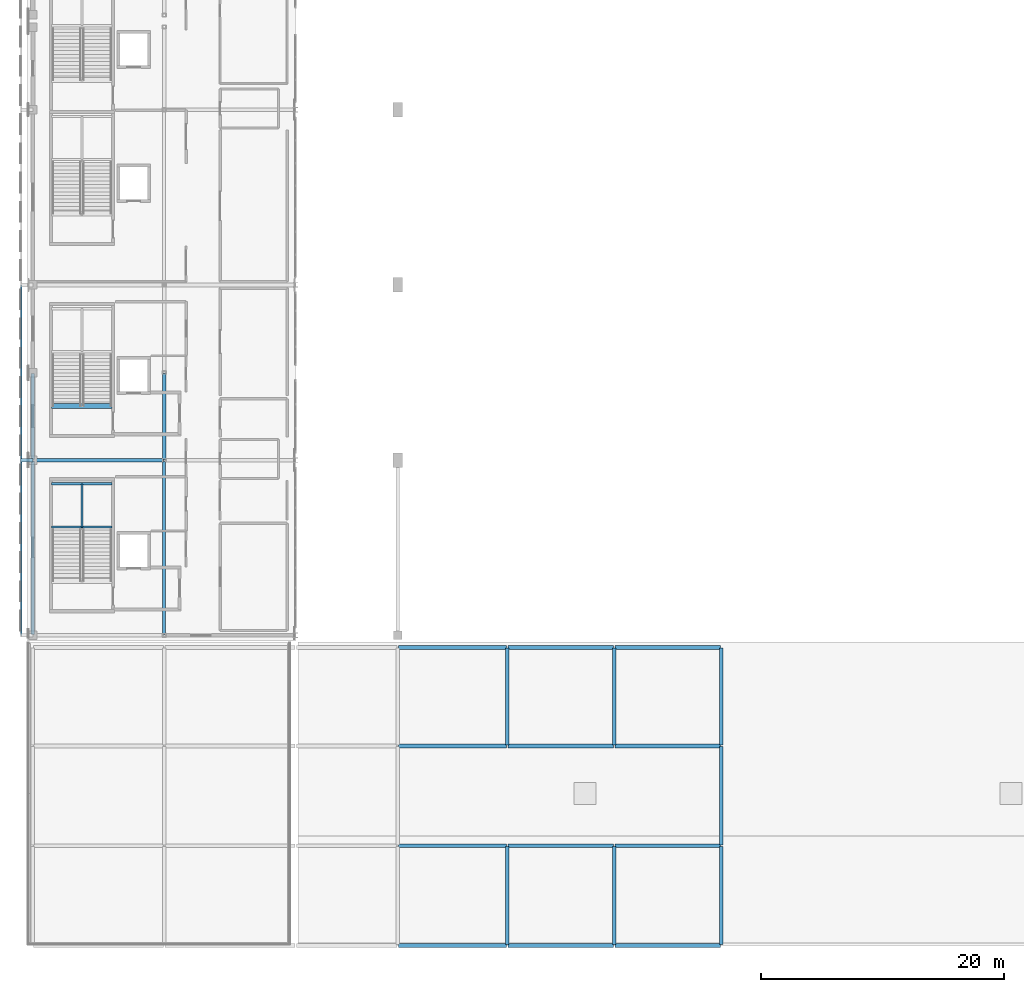
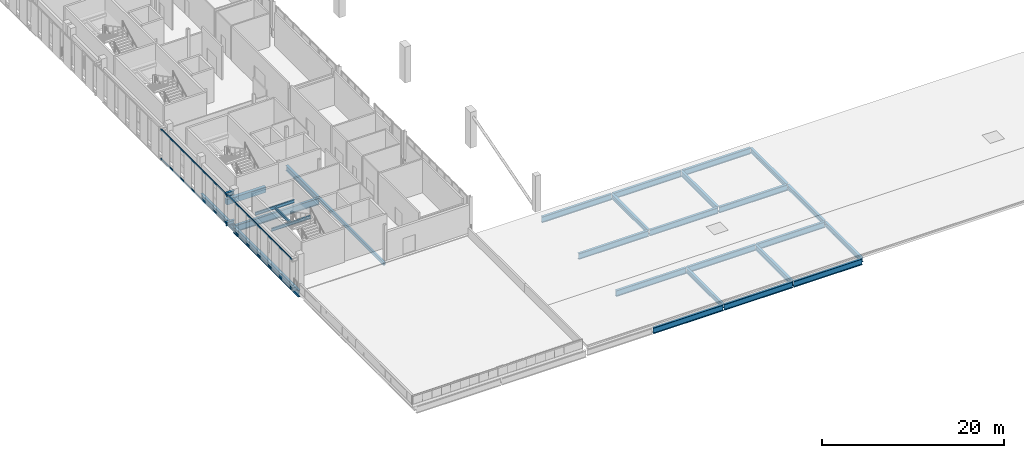
# One storey, part 8 of 51: 30 beams, 4 members.
"""IFC4 building model written with IfcOpenShell, lengths in metres."""

from ifc_helpers import new_model, si_unit, direction, frame, origin, origin_2d, place, context, subcontext, project, spatial, rectangle, hollow_rectangle, i_section, extrude, material, material_profile, profile_set, type_object, element, save


model = new_model("IFC4")

# Units and contexts
model_context = context("Model", 3, precision=1e-05, world=origin(), true_north=direction((0.0, 1.0)))
body_context = subcontext(model_context, "Body", "Model", "MODEL_VIEW")
ifc_project = project(units=[si_unit("LENGTHUNIT", "METRE"), si_unit("AREAUNIT", "SQUARE_METRE"), si_unit("VOLUMEUNIT", "CUBIC_METRE"), si_unit("PLANEANGLEUNIT", "RADIAN"), si_unit("MASSUNIT", "GRAM", prefix="KILO")], contexts=[model_context])

# Site, building, storey
site_placement = place(None, origin())
site = spatial("IfcSite", under=ifc_project, at=site_placement, CompositionType="ELEMENT")
building_placement = place(site_placement, origin())
building = spatial("IfcBuilding", under=site, at=building_placement, Name="Koshinbarg Plaza Stadium", CompositionType="ELEMENT")
storey_placement = place(building_placement, frame((0.0, 0.0, 24.60009765625)))
storey = spatial("IfcBuildingStorey", under=building, at=storey_placement, Name="L05", CompositionType="ELEMENT", Elevation=24.60009765625)

# Beams
ifc_material_1 = material(Name="Steel S355", Category="steel")
ifc_material_profile_1 = material_profile(ifc_material_1, i_section(OverallWidth=0.300048828125, OverallDepth=0.5, WebThickness=0.014404296875, FlangeThickness=0.028076171875, at=origin_2d()), Name="HEB 500")
ifc_profile_set_1 = profile_set([ifc_material_profile_1], Name="Steel S355")
beam_type_1 = type_object("IfcBeamType", Name="BM-CANOPY-CANT", PredefinedType="BEAM", material=ifc_profile_set_1)
for number, where, z_axis, x_axis, name in (
    (1, (24.60009765625, 39.89990234375, 0.25), (-1.0, 0.0, 0.0), (0.0, -1.0, 0.0), "Outer screen cantilever outrigger W-L05-Y02"),
    (2, (24.60009765625, 39.89990234375, 4.179931640625), (-1.0, 0.0, 0.0), (0.0, -1.0, 0.0), "Outer screen cantilever outrigger W-L05-Y02"),
):
    element("IfcBeam", number, at=place(storey_placement, frame(where, z_axis=z_axis, x_axis=x_axis)), inside=storey, type_object=beam_type_1, Name=name, PredefinedType="BEAM", context=body_context, shape_type="SweptSolid", body=[
        extrude(i_section(OverallWidth=0.300048828125, OverallDepth=0.5, WebThickness=0.014404296875, FlangeThickness=0.028076171875, at=origin_2d()), origin(), (0.0, 0.0, 1.0), 1.030029296875),
    ])
ifc_material_2 = material(Name="Concrete C40/50", Category="concrete")
ifc_material_profile_2 = material_profile(ifc_material_2, rectangle(XDim=0.39990234375, YDim=0.75, at=origin_2d()), Name="RC 400x750")
ifc_profile_set_2 = profile_set([ifc_material_profile_2], Name="Concrete C40/50")
beam_type_2 = type_object("IfcBeamType", Name="BM-RCG-03", PredefinedType="USERDEFINED", material=ifc_profile_set_2)
beam_1_placement = place(storey_placement, frame((26.14990234375, 44.360107421875, -0.375), z_axis=(1.0, 0.0, 0.0), x_axis=(0.0, 1.0, 0.0)))
element("IfcBeam", 3, at=beam_1_placement, inside=storey, type_object=beam_type_2, Name="L05 stair landing header beam C02", ObjectType="GIRDER", PredefinedType="USERDEFINED", context=body_context, shape_type="SweptSolid", body=[
    extrude(rectangle(XDim=0.39990234375, YDim=0.75, at=origin_2d()), origin(), (0.0, 0.0, 1.0), 4.97021484375),
])
ifc_material_profile_3 = material_profile(ifc_material_1, i_section(OverallWidth=0.179931640625, OverallDepth=0.39990234375, WebThickness=0.008544921875, FlangeThickness=0.013427734375, at=origin_2d()), Name="IPE 400")
ifc_profile_set_3 = profile_set([ifc_material_profile_3], Name="Steel S355")
beam_type_3 = type_object("IfcBeamType", Name="BM-SBM-01", PredefinedType="BEAM", material=ifc_profile_set_3)
for number, where, z_axis, x_axis, name in (
    (4, (26.14990234375, 34.409912109375, 1.8798828125), (1.0, 0.0, 0.0), (0.0, 1.0, 0.0), "L05 Protected Exit Stair C01 landing trimmer beam 1"),
    (5, (26.14990234375, 37.949951171875, 1.8798828125), (1.0, 0.0, 0.0), (0.0, 1.0, 0.0), "L05 Protected Exit Stair C01 landing trimmer beam 2"),
):
    element("IfcBeam", number, at=place(storey_placement, frame(where, z_axis=z_axis, x_axis=x_axis)), inside=storey, type_object=beam_type_3, Name=name, PredefinedType="BEAM", context=body_context, shape_type="SweptSolid", body=[
        extrude(i_section(OverallWidth=0.179931640625, OverallDepth=0.39990234375, WebThickness=0.008544921875, FlangeThickness=0.013427734375, at=origin_2d()), origin(), (0.0, 0.0, 1.0), 4.97021484375),
    ])
beam_2_placement = place(storey_placement, frame((28.635009765625, 34.409912109375, 1.8798828125), z_axis=(0.0, 1.0, 0.0), x_axis=(-1.0, 0.0, 0.0)))
element("IfcBeam", 6, at=beam_2_placement, inside=storey, type_object=beam_type_3, Name="L05 Protected Exit Stair C01 landing trimmer beam 3", PredefinedType="BEAM", context=body_context, shape_type="SweptSolid", body=[
    extrude(i_section(OverallWidth=0.179931640625, OverallDepth=0.39990234375, WebThickness=0.008544921875, FlangeThickness=0.013427734375, at=origin_2d()), origin(), (0.0, 0.0, 1.0), 3.5400390625),
])
ifc_material_profile_4 = material_profile(ifc_material_1, i_section(OverallWidth=0.300048828125, OverallDepth=0.60009765625, WebThickness=0.015380859375, FlangeThickness=0.030029296875, at=origin_2d()), Name="HEB 600")
ifc_profile_set_4 = profile_set([ifc_material_profile_4], Name="Steel S355")
beam_type_4 = type_object("IfcBeamType", Name="BM-SGIR-02", PredefinedType="USERDEFINED", material=ifc_profile_set_4)
beam_3_placement = place(storey_placement, frame((24.60009765625, 39.9599609375, -0.60009765625), z_axis=(0.0, 1.0, 0.0), x_axis=(-1.0, 0.0, 0.0)))
element("IfcBeam", 7, at=beam_3_placement, inside=storey, type_object=beam_type_4, Name="L05 Y girder 5/F-G", ObjectType="GIRDER", PredefinedType="USERDEFINED", context=body_context, shape_type="SweptSolid", body=[
    extrude(i_section(OverallWidth=0.300048828125, OverallDepth=0.60009765625, WebThickness=0.015380859375, FlangeThickness=0.030029296875, at=origin_2d()), origin(), (0.0, 0.0, 1.0), 7.080078125),
])
beam_4_placement = place(storey_placement, frame((63.60009765625, 0.06005859375, -0.60009765625), z_axis=(0.0, 1.0, 0.0), x_axis=(-1.0, 0.0, 0.0)))
element("IfcBeam", 8, at=beam_4_placement, inside=storey, type_object=beam_type_4, Name="L05 Y girder 9/A-B", ObjectType="GIRDER", PredefinedType="USERDEFINED", context=body_context, shape_type="SweptSolid", body=[
    extrude(i_section(OverallWidth=0.300048828125, OverallDepth=0.60009765625, WebThickness=0.015380859375, FlangeThickness=0.030029296875, at=origin_2d()), origin(), (0.0, 0.0, 1.0), 8.079833984375),
])
beam_5_placement = place(storey_placement, frame((63.60009765625, 16.4599609375, -0.60009765625), z_axis=(0.0, 1.0, 0.0), x_axis=(-1.0, 0.0, 0.0)))
element("IfcBeam", 9, at=beam_5_placement, inside=storey, type_object=beam_type_4, Name="L05 Y girder 9/C-D", ObjectType="GIRDER", PredefinedType="USERDEFINED", context=body_context, shape_type="SweptSolid", body=[
    extrude(i_section(OverallWidth=0.300048828125, OverallDepth=0.60009765625, WebThickness=0.015380859375, FlangeThickness=0.030029296875, at=origin_2d()), origin(), (0.0, 0.0, 1.0), 7.97998046875),
])
beam_6_placement = place(storey_placement, frame((81.199951171875, 0.06005859375, -0.60009765625), z_axis=(0.0, 1.0, 0.0), x_axis=(-1.0, 0.0, 0.0)))
element("IfcBeam", 10, at=beam_6_placement, inside=storey, type_object=beam_type_4, Name="L05 Y girder 11/A-B", ObjectType="GIRDER", PredefinedType="USERDEFINED", context=body_context, shape_type="SweptSolid", body=[
    extrude(i_section(OverallWidth=0.300048828125, OverallDepth=0.60009765625, WebThickness=0.015380859375, FlangeThickness=0.030029296875, at=origin_2d()), origin(), (0.0, 0.0, 1.0), 8.079833984375),
])
beam_7_placement = place(storey_placement, frame((81.199951171875, 8.260009765625, -0.60009765625), z_axis=(0.0, 1.0, 0.0), x_axis=(-1.0, 0.0, 0.0)))
element("IfcBeam", 11, at=beam_7_placement, inside=storey, type_object=beam_type_4, Name="L05 Y girder 11/B-C", ObjectType="GIRDER", PredefinedType="USERDEFINED", context=body_context, shape_type="SweptSolid", body=[
    extrude(i_section(OverallWidth=0.300048828125, OverallDepth=0.60009765625, WebThickness=0.015380859375, FlangeThickness=0.030029296875, at=origin_2d()), origin(), (0.0, 0.0, 1.0), 8.080078125),
])
beam_8_placement = place(storey_placement, frame((81.199951171875, 16.4599609375, -0.60009765625), z_axis=(0.0, 1.0, 0.0), x_axis=(-1.0, 0.0, 0.0)))
element("IfcBeam", 12, at=beam_8_placement, inside=storey, type_object=beam_type_4, Name="L05 Y girder 11/C-D", ObjectType="GIRDER", PredefinedType="USERDEFINED", context=body_context, shape_type="SweptSolid", body=[
    extrude(i_section(OverallWidth=0.300048828125, OverallDepth=0.60009765625, WebThickness=0.015380859375, FlangeThickness=0.030029296875, at=origin_2d()), origin(), (0.0, 0.0, 1.0), 7.97998046875),
])
ifc_material_profile_5 = material_profile(ifc_material_1, i_section(OverallWidth=0.300048828125, OverallDepth=0.699951171875, WebThickness=0.01708984375, FlangeThickness=0.031982421875, at=origin_2d()), Name="HEB 700")
ifc_profile_set_5 = profile_set([ifc_material_profile_5], Name="Steel S355")
beam_type_5 = type_object("IfcBeamType", Name="BM-SGIR-03", PredefinedType="USERDEFINED", material=ifc_profile_set_5)
beam_9_placement = place(storey_placement, frame((35.39990234375, 39.9599609375, -0.650146484375), z_axis=(0.0, 1.0, 0.0), x_axis=(-1.0, 0.0, 0.0)))
element("IfcBeam", 13, at=beam_9_placement, inside=storey, type_object=beam_type_5, Name="L05 Y girder 6/F-G", ObjectType="GIRDER", PredefinedType="USERDEFINED", context=body_context, shape_type="SweptSolid", body=[
    extrude(i_section(OverallWidth=0.300048828125, OverallDepth=0.699951171875, WebThickness=0.01708984375, FlangeThickness=0.031982421875, at=origin_2d()), origin(), (0.0, 0.0, 1.0), 7.080078125),
])
beam_10_placement = place(storey_placement, frame((72.39990234375, 0.06005859375, -0.650146484375), z_axis=(0.0, 1.0, 0.0), x_axis=(-1.0, 0.0, 0.0)))
element("IfcBeam", 14, at=beam_10_placement, inside=storey, type_object=beam_type_5, Name="L05 Y girder 10/A-B", ObjectType="GIRDER", PredefinedType="USERDEFINED", context=body_context, shape_type="SweptSolid", body=[
    extrude(i_section(OverallWidth=0.300048828125, OverallDepth=0.699951171875, WebThickness=0.01708984375, FlangeThickness=0.031982421875, at=origin_2d()), origin(), (0.0, 0.0, 1.0), 8.079833984375),
])
beam_11_placement = place(storey_placement, frame((72.39990234375, 16.4599609375, -0.650146484375), z_axis=(0.0, 1.0, 0.0), x_axis=(-1.0, 0.0, 0.0)))
element("IfcBeam", 15, at=beam_11_placement, inside=storey, type_object=beam_type_5, Name="L05 Y girder 10/C-D", ObjectType="GIRDER", PredefinedType="USERDEFINED", context=body_context, shape_type="SweptSolid", body=[
    extrude(i_section(OverallWidth=0.300048828125, OverallDepth=0.699951171875, WebThickness=0.01708984375, FlangeThickness=0.031982421875, at=origin_2d()), origin(), (0.0, 0.0, 1.0), 7.97998046875),
])
ifc_material_profile_6 = material_profile(ifc_material_1, i_section(OverallWidth=0.300048828125, OverallDepth=0.800048828125, WebThickness=0.017578125, FlangeThickness=0.032958984375, at=origin_2d()), Name="HEB 800")
ifc_profile_set_6 = profile_set([ifc_material_profile_6], Name="Steel S355")
beam_type_6 = type_object("IfcBeamType", Name="BM-SGIR-04", PredefinedType="USERDEFINED", material=ifc_profile_set_6)
beam_12_placement = place(storey_placement, frame((54.659912109375, 0.0, -0.7001953125), z_axis=(1.0, 0.0, 0.0), x_axis=(0.0, 1.0, 0.0)))
element("IfcBeam", 16, at=beam_12_placement, inside=storey, type_object=beam_type_6, Name="L05 X girder A/8-9", ObjectType="GIRDER", PredefinedType="USERDEFINED", context=body_context, shape_type="SweptSolid", body=[
    extrude(i_section(OverallWidth=0.300048828125, OverallDepth=0.800048828125, WebThickness=0.017578125, FlangeThickness=0.032958984375, at=origin_2d()), origin(), (0.0, 0.0, 1.0), 8.880126953125),
])
beam_13_placement = place(storey_placement, frame((63.659912109375, 0.0, -0.7001953125), z_axis=(1.0, 0.0, 0.0), x_axis=(0.0, 1.0, 0.0)))
element("IfcBeam", 17, at=beam_13_placement, inside=storey, type_object=beam_type_6, Name="L05 X girder A/9-10", ObjectType="GIRDER", PredefinedType="USERDEFINED", context=body_context, shape_type="SweptSolid", body=[
    extrude(i_section(OverallWidth=0.300048828125, OverallDepth=0.800048828125, WebThickness=0.017578125, FlangeThickness=0.032958984375, at=origin_2d()), origin(), (0.0, 0.0, 1.0), 8.68017578125),
])
beam_14_placement = place(storey_placement, frame((72.4599609375, 0.0, -0.7001953125), z_axis=(1.0, 0.0, 0.0), x_axis=(0.0, 1.0, 0.0)))
element("IfcBeam", 18, at=beam_14_placement, inside=storey, type_object=beam_type_6, Name="L05 X girder A/10-11", ObjectType="GIRDER", PredefinedType="USERDEFINED", context=body_context, shape_type="SweptSolid", body=[
    extrude(i_section(OverallWidth=0.300048828125, OverallDepth=0.800048828125, WebThickness=0.017578125, FlangeThickness=0.032958984375, at=origin_2d()), origin(), (0.0, 0.0, 1.0), 8.679931640625),
])
beam_15_placement = place(storey_placement, frame((54.659912109375, 8.199951171875, -0.7001953125), z_axis=(1.0, 0.0, 0.0), x_axis=(0.0, 1.0, 0.0)))
element("IfcBeam", 19, at=beam_15_placement, inside=storey, type_object=beam_type_6, Name="L05 X girder B/8-9", ObjectType="GIRDER", PredefinedType="USERDEFINED", context=body_context, shape_type="SweptSolid", body=[
    extrude(i_section(OverallWidth=0.300048828125, OverallDepth=0.800048828125, WebThickness=0.017578125, FlangeThickness=0.032958984375, at=origin_2d()), origin(), (0.0, 0.0, 1.0), 8.880126953125),
])
beam_16_placement = place(storey_placement, frame((63.659912109375, 8.199951171875, -0.7001953125), z_axis=(1.0, 0.0, 0.0), x_axis=(0.0, 1.0, 0.0)))
element("IfcBeam", 20, at=beam_16_placement, inside=storey, type_object=beam_type_6, Name="L05 X girder B/9-10", ObjectType="GIRDER", PredefinedType="USERDEFINED", context=body_context, shape_type="SweptSolid", body=[
    extrude(i_section(OverallWidth=0.300048828125, OverallDepth=0.800048828125, WebThickness=0.017578125, FlangeThickness=0.032958984375, at=origin_2d()), origin(), (0.0, 0.0, 1.0), 8.68017578125),
])
beam_17_placement = place(storey_placement, frame((72.4599609375, 8.199951171875, -0.7001953125), z_axis=(1.0, 0.0, 0.0), x_axis=(0.0, 1.0, 0.0)))
element("IfcBeam", 21, at=beam_17_placement, inside=storey, type_object=beam_type_6, Name="L05 X girder B/10-11", ObjectType="GIRDER", PredefinedType="USERDEFINED", context=body_context, shape_type="SweptSolid", body=[
    extrude(i_section(OverallWidth=0.300048828125, OverallDepth=0.800048828125, WebThickness=0.017578125, FlangeThickness=0.032958984375, at=origin_2d()), origin(), (0.0, 0.0, 1.0), 8.679931640625),
])
beam_18_placement = place(storey_placement, frame((54.659912109375, 16.39990234375, -0.7001953125), z_axis=(1.0, 0.0, 0.0), x_axis=(0.0, 1.0, 0.0)))
element("IfcBeam", 22, at=beam_18_placement, inside=storey, type_object=beam_type_6, Name="L05 X girder C/8-9", ObjectType="GIRDER", PredefinedType="USERDEFINED", context=body_context, shape_type="SweptSolid", body=[
    extrude(i_section(OverallWidth=0.300048828125, OverallDepth=0.800048828125, WebThickness=0.017578125, FlangeThickness=0.032958984375, at=origin_2d()), origin(), (0.0, 0.0, 1.0), 8.880126953125),
])
beam_19_placement = place(storey_placement, frame((63.659912109375, 16.39990234375, -0.7001953125), z_axis=(1.0, 0.0, 0.0), x_axis=(0.0, 1.0, 0.0)))
element("IfcBeam", 23, at=beam_19_placement, inside=storey, type_object=beam_type_6, Name="L05 X girder C/9-10", ObjectType="GIRDER", PredefinedType="USERDEFINED", context=body_context, shape_type="SweptSolid", body=[
    extrude(i_section(OverallWidth=0.300048828125, OverallDepth=0.800048828125, WebThickness=0.017578125, FlangeThickness=0.032958984375, at=origin_2d()), origin(), (0.0, 0.0, 1.0), 8.68017578125),
])
beam_20_placement = place(storey_placement, frame((72.4599609375, 16.39990234375, -0.7001953125), z_axis=(1.0, 0.0, 0.0), x_axis=(0.0, 1.0, 0.0)))
element("IfcBeam", 24, at=beam_20_placement, inside=storey, type_object=beam_type_6, Name="L05 X girder C/10-11", ObjectType="GIRDER", PredefinedType="USERDEFINED", context=body_context, shape_type="SweptSolid", body=[
    extrude(i_section(OverallWidth=0.300048828125, OverallDepth=0.800048828125, WebThickness=0.017578125, FlangeThickness=0.032958984375, at=origin_2d()), origin(), (0.0, 0.0, 1.0), 8.679931640625),
])
beam_21_placement = place(storey_placement, frame((54.659912109375, 24.5, -0.7001953125), z_axis=(1.0, 0.0, 0.0), x_axis=(0.0, 1.0, 0.0)))
element("IfcBeam", 25, at=beam_21_placement, inside=storey, type_object=beam_type_6, Name="L05 X girder D/8-9", ObjectType="GIRDER", PredefinedType="USERDEFINED", context=body_context, shape_type="SweptSolid", body=[
    extrude(i_section(OverallWidth=0.300048828125, OverallDepth=0.800048828125, WebThickness=0.017578125, FlangeThickness=0.032958984375, at=origin_2d()), origin(), (0.0, 0.0, 1.0), 8.880126953125),
])
beam_22_placement = place(storey_placement, frame((63.659912109375, 24.5, -0.7001953125), z_axis=(1.0, 0.0, 0.0), x_axis=(0.0, 1.0, 0.0)))
element("IfcBeam", 26, at=beam_22_placement, inside=storey, type_object=beam_type_6, Name="L05 X girder D/9-10", ObjectType="GIRDER", PredefinedType="USERDEFINED", context=body_context, shape_type="SweptSolid", body=[
    extrude(i_section(OverallWidth=0.300048828125, OverallDepth=0.800048828125, WebThickness=0.017578125, FlangeThickness=0.032958984375, at=origin_2d()), origin(), (0.0, 0.0, 1.0), 8.68017578125),
])
beam_23_placement = place(storey_placement, frame((72.4599609375, 24.5, -0.7001953125), z_axis=(1.0, 0.0, 0.0), x_axis=(0.0, 1.0, 0.0)))
element("IfcBeam", 27, at=beam_23_placement, inside=storey, type_object=beam_type_6, Name="L05 X girder D/10-11", ObjectType="GIRDER", PredefinedType="USERDEFINED", context=body_context, shape_type="SweptSolid", body=[
    extrude(i_section(OverallWidth=0.300048828125, OverallDepth=0.800048828125, WebThickness=0.017578125, FlangeThickness=0.032958984375, at=origin_2d()), origin(), (0.0, 0.0, 1.0), 8.679931640625),
])
ifc_material_profile_7 = material_profile(ifc_material_1, i_section(OverallWidth=0.300048828125, OverallDepth=0.89990234375, WebThickness=0.0185546875, FlangeThickness=0.034912109375, at=origin_2d()), Name="HEB 900")
ifc_profile_set_7 = profile_set([ifc_material_profile_7], Name="Steel S355")
beam_type_7 = type_object("IfcBeamType", Name="BM-SGIR-05", PredefinedType="USERDEFINED", material=ifc_profile_set_7)
beam_24_placement = place(storey_placement, frame((24.659912109375, 39.89990234375, -0.75), z_axis=(1.0, 0.0, 0.0), x_axis=(0.0, 1.0, 0.0)))
element("IfcBeam", 28, at=beam_24_placement, inside=storey, type_object=beam_type_7, Name="L05 X girder F/5-6", ObjectType="GIRDER", PredefinedType="USERDEFINED", context=body_context, shape_type="SweptSolid", body=[
    extrude(i_section(OverallWidth=0.300048828125, OverallDepth=0.89990234375, WebThickness=0.0185546875, FlangeThickness=0.034912109375, at=origin_2d()), origin(), (0.0, 0.0, 1.0), 10.68017578125),
])
beam_25_placement = place(storey_placement, frame((24.60009765625, 25.56005859375, -0.75), z_axis=(0.0, 1.0, 0.0), x_axis=(-1.0, 0.0, 0.0)))
element("IfcBeam", 29, at=beam_25_placement, inside=storey, type_object=beam_type_7, Name="L05 Y girder 5/E-F", ObjectType="GIRDER", PredefinedType="USERDEFINED", context=body_context, shape_type="SweptSolid", body=[
    extrude(i_section(OverallWidth=0.300048828125, OverallDepth=0.89990234375, WebThickness=0.0185546875, FlangeThickness=0.034912109375, at=origin_2d()), origin(), (0.0, 0.0, 1.0), 14.280029296875),
])
ifc_material_profile_8 = material_profile(ifc_material_1, hollow_rectangle(XDim=0.25, YDim=0.449951171875, WallThickness=0.01611328125, at=origin_2d()), Name="RHS 450x250x16")
ifc_profile_set_8 = profile_set([ifc_material_profile_8], Name="Steel S355")
beam_type_8 = type_object("IfcBeamType", Name="BM-SGIR-06", PredefinedType="USERDEFINED", material=ifc_profile_set_8)
beam_26_placement = place(storey_placement, frame((35.39990234375, 25.56005859375, -0.525146484375), z_axis=(0.0, 1.0, 0.0), x_axis=(-1.0, 0.0, 0.0)))
element("IfcBeam", 30, at=beam_26_placement, inside=storey, type_object=beam_type_8, Name="L05 Y girder 6/E-F", ObjectType="GIRDER", PredefinedType="USERDEFINED", context=body_context, shape_type="SweptSolid", body=[
    extrude(hollow_rectangle(XDim=0.25, YDim=0.449951171875, WallThickness=0.01611328125, at=origin_2d()), origin(), (0.0, 0.0, 1.0), 14.280029296875),
])

# Members
ifc_material_profile_9 = material_profile(ifc_material_1, hollow_rectangle(XDim=0.10009765625, YDim=0.199951171875, WallThickness=0.008056640625, at=origin_2d()), Name="RHS 200x100x8")
ifc_profile_set_9 = profile_set([ifc_material_profile_9], Name="Steel S355")
member_type = type_object("IfcMemberType", Name="MB-PURL-03", PredefinedType="PURLIN", material=ifc_profile_set_9)
for number, where, z_axis, x_axis, name in (
    (31, (23.64990234375, 25.5, 0.25), (0.0, 1.0, 0.0), (-1.0, 0.0, 0.0), "L05 outer screen subframe rail W-1-BOT"),
    (32, (23.64990234375, 25.5, 4.179931640625), (0.0, 1.0, 0.0), (-1.0, 0.0, 0.0), "L05 outer screen subframe rail W-1-TOP"),
):
    element("IfcMember", number, at=place(storey_placement, frame(where, z_axis=z_axis, x_axis=x_axis)), inside=storey, type_object=member_type, Name=name, PredefinedType="PURLIN", context=body_context, shape_type="SweptSolid", body=[
        extrude(hollow_rectangle(XDim=0.10009765625, YDim=0.199951171875, WallThickness=0.008056640625, at=origin_2d()), origin(), (0.0, 0.0, 1.0), 14.39990234375),
    ])
for number, where, z_axis, x_axis, name in (
    (33, (23.64990234375, 39.89990234375, 0.25), (0.0, 1.0, 0.0), (-1.0, 0.0, 0.0), "L05 outer screen subframe rail W-2-BOT"),
    (34, (23.64990234375, 39.89990234375, 4.179931640625), (0.0, 1.0, 0.0), (-1.0, 0.0, 0.0), "L05 outer screen subframe rail W-2-TOP"),
):
    element("IfcMember", number, at=place(storey_placement, frame(where, z_axis=z_axis, x_axis=x_axis)), inside=storey, type_object=member_type, Name=name, PredefinedType="PURLIN", context=body_context, shape_type="SweptSolid", body=[
        extrude(hollow_rectangle(XDim=0.10009765625, YDim=0.199951171875, WallThickness=0.008056640625, at=origin_2d()), origin(), (0.0, 0.0, 1.0), 14.400146484375),
    ])

save(model, "model.ifc")
